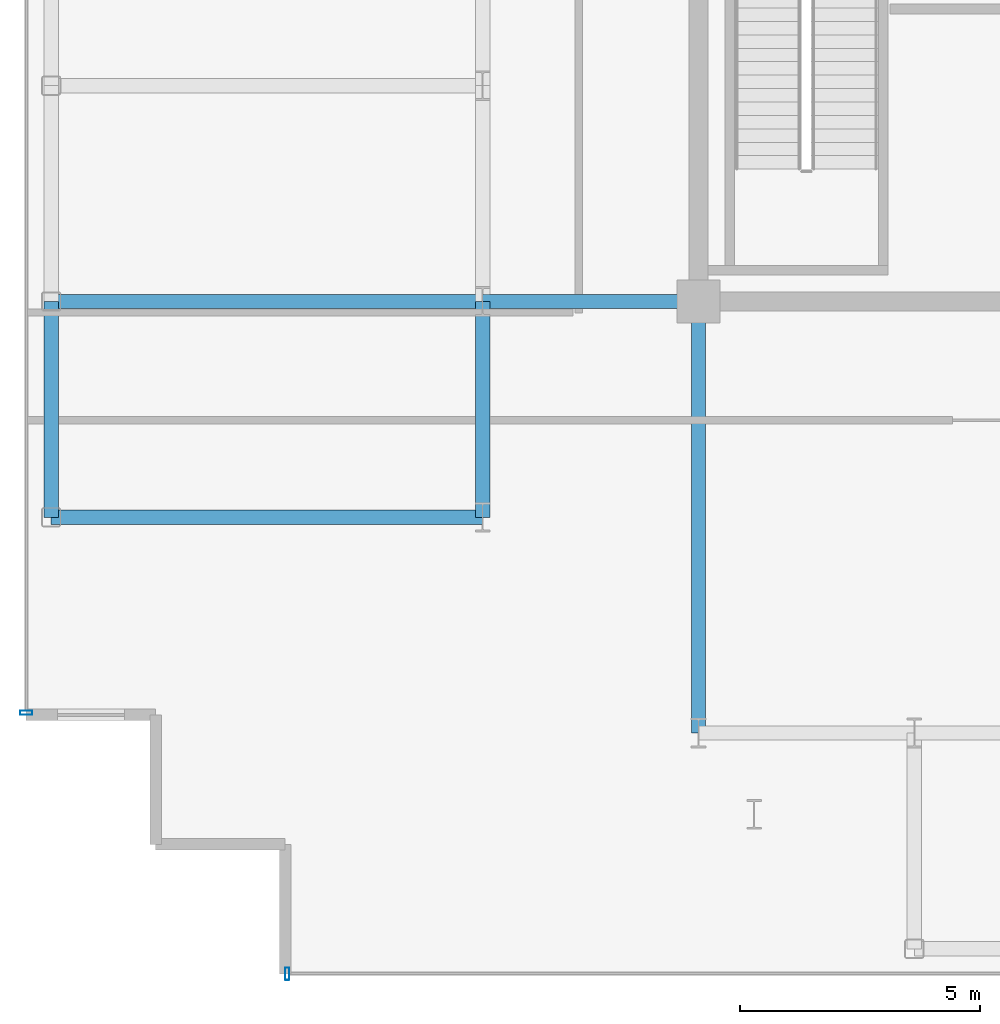
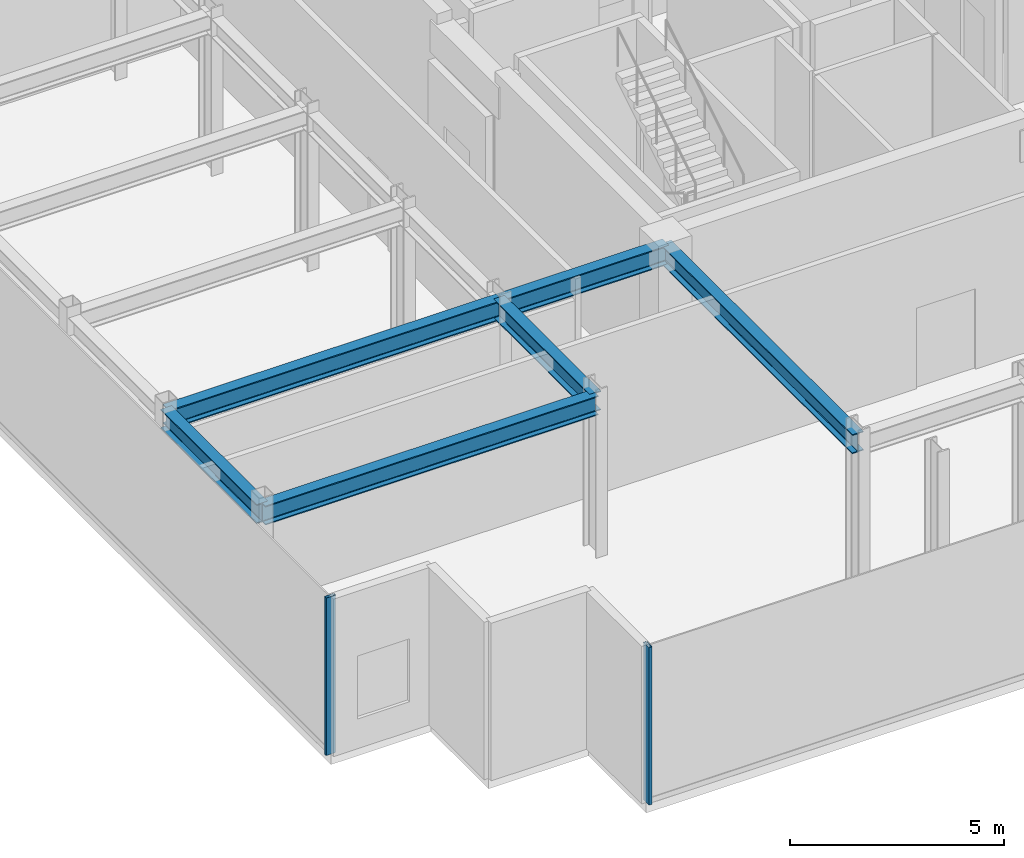
# One storey, part 2 of 17: 6 beams, 2 members, 2 elements without a shape of their own.
"""IFC4 building model written with IfcOpenShell, lengths in metres."""

from ifc_helpers import new_model, si_unit, direction, frame, origin, origin_2d, place, context, subcontext, project, spatial, hollow_rectangle, i_section, extrude, source, transform, mapped, material, layer, layer_set, material_profile, profile_set, type_object, element, aggregate, save


model = new_model("IFC4")

# Units and contexts
model_context = context("Model", 3, precision=1e-05, world=origin(), true_north=direction((0.0, 1.0)))
body_context = subcontext(model_context, "Body", "Model", "MODEL_VIEW")
ifc_project = project(units=[si_unit("LENGTHUNIT", "METRE"), si_unit("AREAUNIT", "SQUARE_METRE"), si_unit("VOLUMEUNIT", "CUBIC_METRE"), si_unit("PLANEANGLEUNIT", "RADIAN"), si_unit("MASSUNIT", "GRAM", prefix="KILO")], contexts=[model_context])

# Site, building, storey
site_placement = place(None, origin())
site = spatial("IfcSite", under=ifc_project, at=site_placement, CompositionType="ELEMENT")
building_placement = place(site_placement, origin())
building = spatial("IfcBuilding", under=site, at=building_placement, Name="Nefas-Gora Pilgrimage Tower", CompositionType="ELEMENT")
storey_placement = place(building_placement, frame((0.0, 0.0, 349.0)))
storey = spatial("IfcBuildingStorey", under=building, at=storey_placement, Name="L88", CompositionType="ELEMENT", Elevation=349.0)

# Beams
ifc_material_1 = material(Name="Steel S355", Category="steel")
ifc_material_profile_1 = material_profile(ifc_material_1, i_section(OverallWidth=0.300048828125, OverallDepth=0.550048828125, WebThickness=0.014892578125, FlangeThickness=0.029052734375, FilletRadius=0.027099609375, at=origin_2d()), Name="HEB 550")
ifc_profile_set_1 = profile_set([ifc_material_profile_1], Name="Steel S355")
beam_type_1 = type_object("IfcBeamType", Name="BM-SPN-HEB400", PredefinedType="SPANDREL", material=ifc_profile_set_1)
shared_shape_1 = source(origin(), body_context, "Body", "SweptSolid", [
    extrude(i_section(OverallWidth=0.300048828125, OverallDepth=0.550048828125, WebThickness=0.014892578125, FlangeThickness=0.029052734375, FilletRadius=0.027099609375, at=origin_2d()), origin(), (0.0, 0.0, 1.0), 4.5),
])
beam_placement = place(storey_placement, frame((-24.75, -13.5, 4.22509765625), z_axis=(0.0, 1.0, 0.0), x_axis=(-1.0, 0.0, 0.0)))
element("IfcBeam", 1, at=beam_placement, inside=storey, type_object=beam_type_1, Name="L88 SP-04 beam", PredefinedType="SPANDREL", context=body_context, shape_type="MappedRepresentation", body=[
    mapped(shared_shape_1, transform((0.0, 0.0, 0.0), x_axis=(1.0, 0.0, 0.0), y_axis=(0.0, 1.0, 0.0), z_axis=(0.0, 0.0, 1.0), scale=1.0)),
])
ifc_material_profile_2 = material_profile(ifc_material_1, i_section(OverallWidth=0.300048828125, OverallDepth=0.550048828125, WebThickness=0.014892578125, FlangeThickness=0.029052734375, FilletRadius=0.027099609375, at=origin_2d()), Name="HEB 550")
ifc_profile_set_2 = profile_set([ifc_material_profile_2], Name="Steel S355")
beam_type_2 = type_object("IfcBeamType", Name="BM-GIR-HEB550", PredefinedType="BEAM", material=ifc_profile_set_2)
shared_shape_2 = source(origin(), body_context, "Body", "SweptSolid", [
    extrude(i_section(OverallWidth=0.300048828125, OverallDepth=0.550048828125, WebThickness=0.014892578125, FlangeThickness=0.029052734375, FilletRadius=0.027099609375, at=origin_2d()), origin(), (0.0, 0.0, 1.0), 9.0),
])
for number, where, z_axis, x_axis, name in (
    (2, (-24.75, -13.5, 4.22509765625), (1.0, 0.0, 0.0), (0.0, 1.0, 0.0), "L88 G-05 beam"),
    (3, (-24.75, -9.0, 4.22509765625), (1.0, 0.0, 0.0), (0.0, 1.0, 0.0), "L88 G-05 beam"),
    (4, (-11.25, -18.0, 4.22509765625), (0.0, 1.0, 0.0), (-1.0, 0.0, 0.0), "L88 G-05 beam"),
):
    element("IfcBeam", number, at=place(storey_placement, frame(where, z_axis=z_axis, x_axis=x_axis)), inside=storey, type_object=beam_type_2, Name=name, PredefinedType="BEAM", context=body_context, shape_type="MappedRepresentation", body=[
        mapped(shared_shape_2, transform((0.0, 0.0, 0.0), x_axis=(1.0, 0.0, 0.0), y_axis=(0.0, 1.0, 0.0), z_axis=(0.0, 0.0, 1.0), scale=1.0)),
    ])
shared_shape_3 = source(origin(), body_context, "Body", "SweptSolid", [
    extrude(i_section(OverallWidth=0.300048828125, OverallDepth=0.550048828125, WebThickness=0.014892578125, FlangeThickness=0.029052734375, FilletRadius=0.027099609375, at=origin_2d()), origin(), (0.0, 0.0, 1.0), 4.5),
])
for number, where, z_axis, x_axis, name in (
    (5, (-15.75, -13.5, 4.22509765625), (0.0, 1.0, 0.0), (-1.0, 0.0, 0.0), "L88 G-05 beam"),
    (6, (-15.75, -9.0, 4.22509765625), (1.0, 0.0, 0.0), (0.0, 1.0, 0.0), "L88 G-05 beam"),
):
    element("IfcBeam", number, at=place(storey_placement, frame(where, z_axis=z_axis, x_axis=x_axis)), inside=storey, type_object=beam_type_2, Name=name, PredefinedType="BEAM", context=body_context, shape_type="MappedRepresentation", body=[
        mapped(shared_shape_3, transform((0.0, 0.0, 0.0), x_axis=(1.0, 0.0, 0.0), y_axis=(0.0, 1.0, 0.0), z_axis=(0.0, 0.0, 1.0), scale=1.0)),
    ])

# Curtain wall, member
ifc_material_2 = material(Name="Dark ceramic-fritted solar-control aluminium-glass curtain wall", Category="aluminium")
ifc_layer = layer(ifc_material_2, 0.219970703125)
ifc_layer_set = layer_set([ifc_layer], Name="Dark ceramic-fritted solar-control aluminium-glass curtain wall")
curtain_wall_type = type_object("IfcCurtainWallType", Name="CW-SYS-6", PredefinedType="NOTDEFINED", material=ifc_layer_set)
curtain_wall_1_placement = place(storey_placement, origin())
curtain_wall_1 = element("IfcCurtainWall", 7, at=curtain_wall_1_placement, inside=storey, type_object=curtain_wall_type, Name="L88 Unitised Curtain Wall CW6", PredefinedType="NOTDEFINED")
ifc_material_3 = material(Name="Anodised architectural aluminium", Category="aluminium")
ifc_material_profile_3 = material_profile(ifc_material_3, hollow_rectangle(XDim=0.090087890625, YDim=0.260009765625, WallThickness=0.006103515625, InnerFilletRadius=0.006103515625, OuterFilletRadius=0.011962890625, at=origin_2d()), Name="ALU MULLION 90x260")
ifc_profile_set_3 = profile_set([ifc_material_profile_3], Name="Anodised architectural aluminium")
member_type = type_object("IfcMemberType", Name="CWM-MUL-6", PredefinedType="MULLION", material=ifc_profile_set_3)
shared_shape_4 = source(origin(), body_context, "Body", "SweptSolid", [
    extrude(hollow_rectangle(XDim=0.090087890625, YDim=0.260009765625, WallThickness=0.006103515625, InnerFilletRadius=0.006103515625, OuterFilletRadius=0.011962890625, at=origin_2d()), origin(), (0.0, 0.0, 1.0), 4.5),
])
member_1_placement = place(storey_placement, frame((-25.27001953125, -17.574951171875, 0.0), z_axis=(0.0, 0.0, 1.0), x_axis=(0.0, -1.0, 0.0)))
member_1 = element("IfcMember", 8, at=member_1_placement, type_object=member_type, Name="CW6 Mullion 3", PredefinedType="MULLION", context=body_context, shape_type="MappedRepresentation", body=[
    mapped(shared_shape_4, transform((0.0, 0.0, 0.0), x_axis=(1.0, 0.0, 0.0), y_axis=(0.0, 1.0, 0.0), z_axis=(0.0, 0.0, 1.0), scale=1.0)),
])
aggregate(curtain_wall_1, [member_1])

curtain_wall_2_placement = place(storey_placement, origin())
curtain_wall_2 = element("IfcCurtainWall", 9, at=curtain_wall_2_placement, inside=storey, type_object=curtain_wall_type, Name="L88 Unitised Curtain Wall CW6", PredefinedType="NOTDEFINED")
member_2_placement = place(storey_placement, frame((-19.824951171875, -23.02001953125, 0.0), z_axis=(0.0, 0.0, 1.0), x_axis=(1.0, 0.0, 0.0)))
member_2 = element("IfcMember", 10, at=member_2_placement, type_object=member_type, Name="CW6 Mullion 1", PredefinedType="MULLION", context=body_context, shape_type="MappedRepresentation", body=[
    mapped(shared_shape_4, transform((0.0, 0.0, 0.0), x_axis=(1.0, 0.0, 0.0), y_axis=(0.0, 1.0, 0.0), z_axis=(0.0, 0.0, 1.0), scale=1.0)),
])
aggregate(curtain_wall_2, [member_2])

save(model, "model.ifc")
